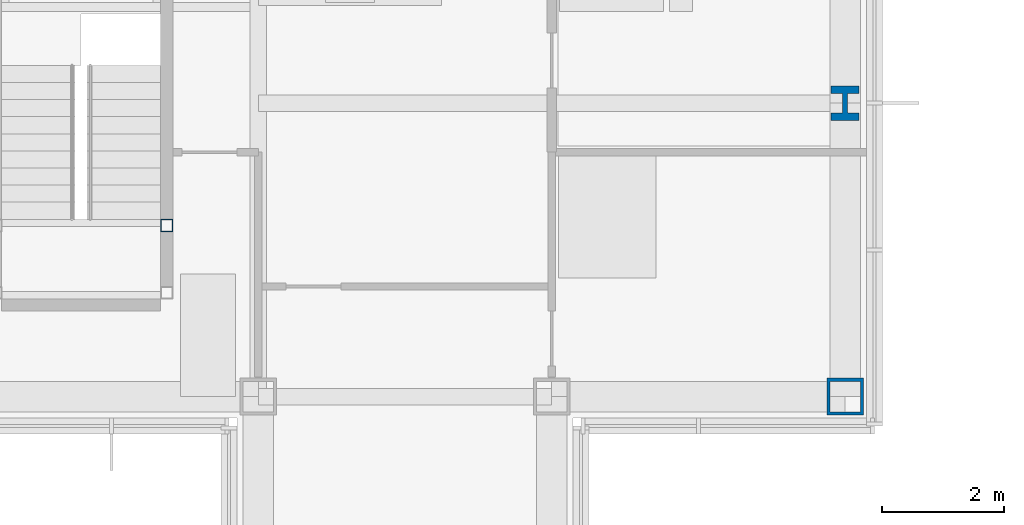
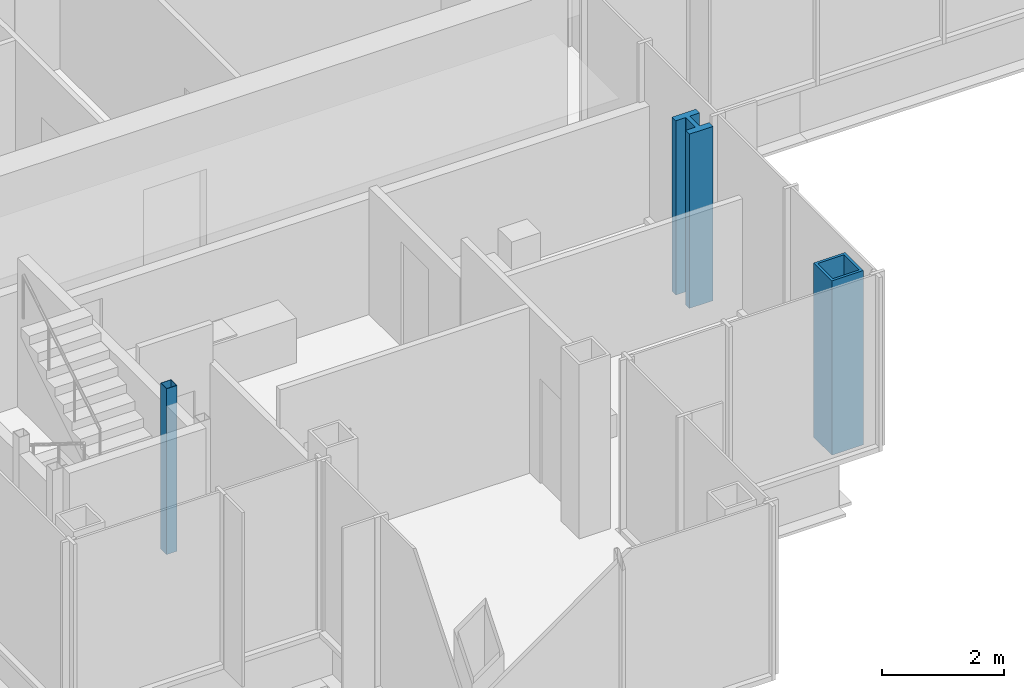
# One storey, part 2 of 14: 3 columns.
"""IFC4 building model written with IfcOpenShell, lengths in metres."""

from ifc_helpers import new_model, si_unit, direction, frame, origin, origin_2d, place, context, subcontext, project, spatial, hollow_rectangle, i_section, extrude, material, material_profile, profile_set, type_object, element, save


model = new_model("IFC4")

# Units and contexts
model_context = context("Model", 3, precision=1e-05, world=origin(), true_north=direction((0.0, 1.0)))
body_context = subcontext(model_context, "Body", "Model", "MODEL_VIEW")
ifc_project = project(units=[si_unit("LENGTHUNIT", "METRE"), si_unit("AREAUNIT", "SQUARE_METRE"), si_unit("VOLUMEUNIT", "CUBIC_METRE"), si_unit("PLANEANGLEUNIT", "RADIAN"), si_unit("MASSUNIT", "GRAM", prefix="KILO")], contexts=[model_context])

# Site, building, storey
site_placement = place(None, origin())
site = spatial("IfcSite", under=ifc_project, at=site_placement, CompositionType="ELEMENT")
building_placement = place(site_placement, origin())
building = spatial("IfcBuilding", under=site, at=building_placement, Name="Kvirike Care Tower", CompositionType="ELEMENT")
storey_placement = place(building_placement, frame((0.0, 0.0, 194.5)))
storey = spatial("IfcBuildingStorey", under=building, at=storey_placement, Name="L53", CompositionType="ELEMENT", Elevation=194.5)

# Columns
ifc_material_1 = material(Name="Steel S460", Category="steel")
ifc_material_profile_1 = material_profile(ifc_material_1, hollow_rectangle(XDim=0.60009765625, YDim=0.60009765625, WallThickness=0.050048828125, at=origin_2d()), Name="BX 600x600x50")
ifc_profile_set_1 = profile_set([ifc_material_profile_1], Name="Steel S460")
column_type_1 = type_object("IfcColumnType", Name="COLUMN BX 600x600x50", PredefinedType="COLUMN", material=ifc_profile_set_1)
column_1_placement = place(storey_placement, frame((28.800048828125, 19.199951171875, 0.0), z_axis=(0.0, 0.0, 1.0), x_axis=(0.0, 1.0, 0.0)))
element("IfcColumn", 1, at=column_1_placement, inside=storey, type_object=column_type_1, Name="Column E9 L53", PredefinedType="COLUMN", context=body_context, shape_type="SweptSolid", body=[
    extrude(hollow_rectangle(XDim=0.60009765625, YDim=0.60009765625, WallThickness=0.050048828125, at=origin_2d()), origin(), (0.0, 0.0, 1.0), 3.5),
])
ifc_material_2 = material(Name="Steel S460", Category="steel")
ifc_material_profile_2 = material_profile(ifc_material_2, i_section(OverallWidth=0.4541015625, OverallDepth=0.569091796875, WebThickness=0.077880859375, FlangeThickness=0.125, FilletRadius=0.014892578125, at=origin_2d()), Name="HD 400x1086")
ifc_profile_set_2 = profile_set([ifc_material_profile_2], Name="Steel S460")
column_type_2 = type_object("IfcColumnType", Name="COLUMN HD 400x1086", PredefinedType="COLUMN", material=ifc_profile_set_2)
column_2_placement = place(storey_placement, frame((28.800048828125, 24.0, 0.0), z_axis=(0.0, 0.0, 1.0), x_axis=(1.0, 0.0, 0.0)))
element("IfcColumn", 2, at=column_2_placement, inside=storey, type_object=column_type_2, Name="Column F9 L53", PredefinedType="COLUMN", context=body_context, shape_type="SweptSolid", body=[
    extrude(i_section(OverallWidth=0.4541015625, OverallDepth=0.569091796875, WebThickness=0.077880859375, FlangeThickness=0.125, FilletRadius=0.014892578125, at=origin_2d()), origin(), (0.0, 0.0, 1.0), 3.5),
])
ifc_material_3 = material(Name="Steel S460", Category="steel")
ifc_material_profile_3 = material_profile(ifc_material_3, hollow_rectangle(XDim=0.199951171875, YDim=0.199951171875, WallThickness=0.008056640625, at=origin_2d()), Name="SHS 200x200x8")
ifc_profile_set_3 = profile_set([ifc_material_profile_3], Name="Steel S460")
column_type_3 = type_object("IfcColumnType", Name="STAIR POST SHS 200x200x8", PredefinedType="COLUMN", material=ifc_profile_set_3)
column_3_placement = place(storey_placement, frame((17.699951171875, 22.0, 0.0), z_axis=(0.0, 0.0, 1.0), x_axis=(1.0, 0.0, 0.0)))
element("IfcColumn", 3, at=column_3_placement, inside=storey, type_object=column_type_3, Name="Stair 5 post 4 L53", PredefinedType="COLUMN", context=body_context, shape_type="SweptSolid", body=[
    extrude(hollow_rectangle(XDim=0.199951171875, YDim=0.199951171875, WallThickness=0.008056640625, at=origin_2d()), origin(), (0.0, 0.0, 1.0), 3.330078125),
])

save(model, "model.ifc")
